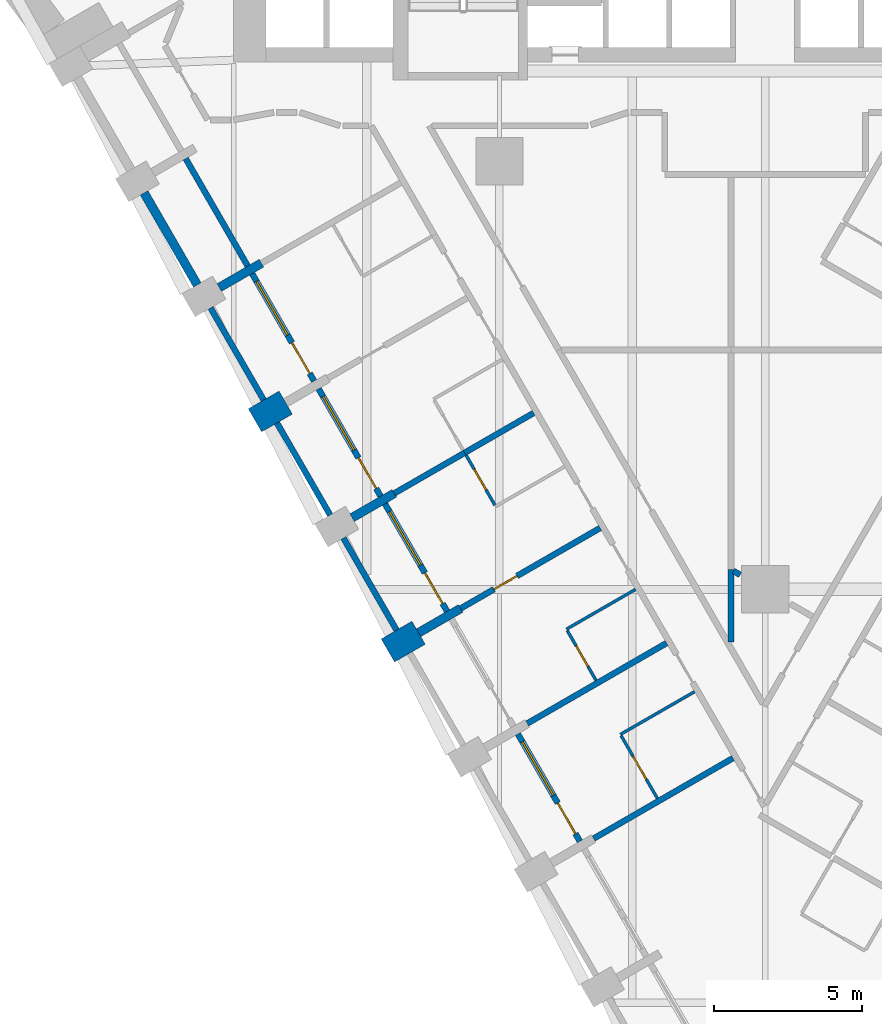
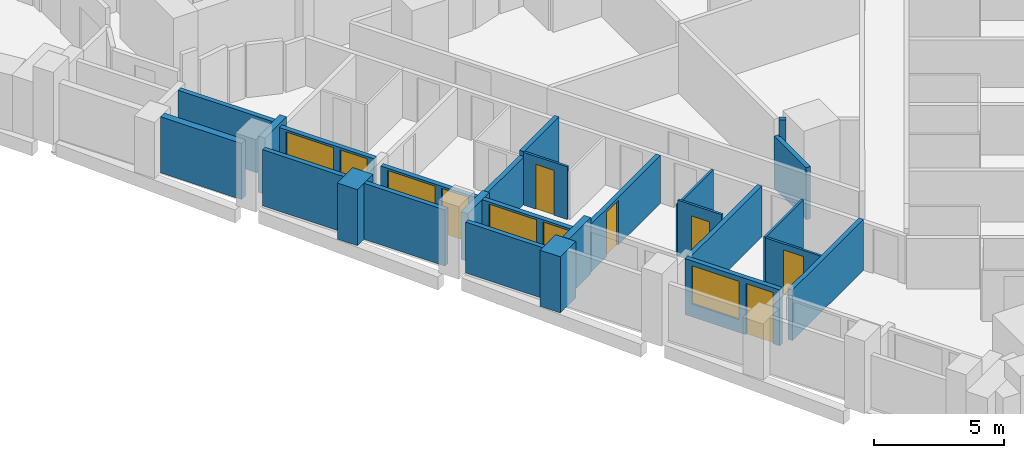
# One storey, part 3 of 12: 26 walls, 8 doors, 4 windows, 12 openings.
"""IFC4 building model written with IfcOpenShell, lengths in metres."""

from ifc_helpers import new_model, si_unit, direction, frame, frame_2d, origin, place, context, subcontext, project, spatial, rectangle, extrude, material, layer, layer_set, type_object, element, fill, save


model = new_model("IFC4")

# Units and contexts
model_context = context("Model", 3, precision=1e-05, world=origin(), true_north=direction((0.0, 1.0)))
body_context = subcontext(model_context, "Body", "Model", "MODEL_VIEW")
ifc_project = project(units=[si_unit("LENGTHUNIT", "METRE"), si_unit("AREAUNIT", "SQUARE_METRE"), si_unit("VOLUMEUNIT", "CUBIC_METRE"), si_unit("PLANEANGLEUNIT", "RADIAN"), si_unit("MASSUNIT", "GRAM", prefix="KILO")], contexts=[model_context])

# Site, building, storey
site_placement = place(None, origin())
site = spatial("IfcSite", under=ifc_project, at=site_placement, CompositionType="ELEMENT")
building_placement = place(site_placement, origin())
building = spatial("IfcBuilding", under=site, at=building_placement, Name="Calabash Gate Tower", CompositionType="ELEMENT")
storey_placement = place(building_placement, frame((0.0, 0.0, 83.39990234375)))
storey = spatial("IfcBuildingStorey", under=building, at=storey_placement, Name="L17", CompositionType="ELEMENT", Elevation=83.39990234375)

# Walls
ifc_material_1 = material(Name="Terracotta brick masonry, exposed face", Category="masonry")
ifc_layer_1 = layer(ifc_material_1, 1.199951171875)
ifc_layer_set_1 = layer_set([ifc_layer_1], Name="Brick end wall 1200")
wall_type_1 = type_object("IfcWallType", Name="Brick end wall 1200", PredefinedType="SOLIDWALL", material=ifc_layer_set_1)
wall_1_placement = place(storey_placement, frame((-17.27880859375, -6.277099609375, 0.0), z_axis=(0.0, 0.0, 1.0), x_axis=(0.866094119867, 0.499880961361, 0.0)))
element("IfcWall", 1, at=wall_1_placement, inside=storey, type_object=wall_type_1, Name="Brick pier S04 SW0.3", PredefinedType="SOLIDWALL", context=body_context, shape_type="SweptSolid", body=[
    extrude(rectangle(XDim=1.199951171875, YDim=0.89990234375, at=frame_2d((0.60009765625, 0.0))), origin(), (0.0, 0.0, 1.0), 2.630126953125),
])
wall_2_placement = place(storey_placement, frame((-12.77880859375, -14.071533203125, 0.0), z_axis=(0.0, 0.0, 1.0), x_axis=(0.866006032174, 0.500033551112, 0.0)))
element("IfcWall", 2, at=wall_2_placement, inside=storey, type_object=wall_type_1, Name="Brick pier S04 SW0.5", PredefinedType="SOLIDWALL", context=body_context, shape_type="SweptSolid", body=[
    extrude(rectangle(XDim=1.2001953125, YDim=0.89990234375, at=frame_2d((0.60009765625, 0.0))), origin(), (0.0, 0.0, 1.0), 2.630126953125),
])
ifc_material_2 = material(Name="Terracotta brick masonry, exposed face", Category="masonry")
ifc_layer_2 = layer(ifc_material_2, 0.300048828125)
ifc_layer_set_2 = layer_set([ifc_layer_2], Name="Brick infill panel wall 300")
wall_type_2 = type_object("IfcWallType", Name="Brick infill panel wall 300", PredefinedType="SOLIDWALL", material=ifc_layer_set_2)
wall_3_placement = place(storey_placement, frame((-21.0341796875, 1.42724609375, 0.0), z_axis=(0.0, 0.0, 1.0), x_axis=(0.500012057535, -0.866018442252, 0.0)))
element("IfcWall", 3, at=wall_3_placement, inside=storey, type_object=wall_type_2, Name="Brick panel S04 SW0.2", PredefinedType="SOLIDWALL", context=body_context, shape_type="SweptSolid", body=[
    extrude(rectangle(XDim=3.60009765625, YDim=0.300048828125, at=frame_2d((1.800048828125, 0.0))), origin(), (0.0, 0.0, 1.0), 2.630126953125),
])
ifc_material_3 = material(Name="Terracotta brick masonry, exposed face", Category="masonry")
ifc_layer_3 = layer(ifc_material_3, 0.300048828125)
ifc_layer_set_3 = layer_set([ifc_layer_3], Name="Brick loggia cheek wall 300")
wall_type_3 = type_object("IfcWallType", Name="Brick loggia cheek wall 300", PredefinedType="SOLIDWALL", material=ifc_layer_set_3)
wall_4_placement = place(storey_placement, frame((-18.489501953125, -1.780029296875, 0.0), z_axis=(0.0, 0.0, 1.0), x_axis=(0.866040211805, 0.499974350878, 0.0)))
element("IfcWall", 4, at=wall_4_placement, inside=storey, type_object=wall_type_3, Name="Loggia cheek S04 SW0.2", PredefinedType="SOLIDWALL", context=body_context, shape_type="SweptSolid", body=[
    extrude(rectangle(XDim=1.64990234375, YDim=0.300048828125, at=frame_2d((0.824951171875, 0.0))), origin(), (0.0, 0.0, 1.0), 2.650146484375),
])
wall_5_placement = place(storey_placement, frame((-12.560546875, -8.749267578125, 0.0), z_axis=(0.0, 0.0, 1.0), x_axis=(-0.866003217194, -0.500038426333, 0.0)))
element("IfcWall", 5, at=wall_5_placement, inside=storey, type_object=wall_type_3, Name="Loggia cheek S04 SW0.4", PredefinedType="SOLIDWALL", context=body_context, shape_type="SweptSolid", body=[
    extrude(rectangle(XDim=1.649658203125, YDim=0.300048828125, at=frame_2d((0.82470703125, 0.0))), origin(), (0.0, 0.0, 1.0), 2.24169921875),
])
wall_6_placement = place(storey_placement, frame((-11.739501953125, -13.471435546875, 0.0), z_axis=(0.0, 0.0, 1.0), x_axis=(0.866040211805, 0.499974350878, 0.0)))
element("IfcWall", 6, at=wall_6_placement, inside=storey, type_object=wall_type_3, Name="Loggia cheek S04 SW0.5", PredefinedType="SOLIDWALL", context=body_context, shape_type="SweptSolid", body=[
    extrude(rectangle(XDim=1.64990234375, YDim=0.300048828125, at=frame_2d((0.824951171875, 0.0))), origin(), (0.0, 0.0, 1.0), 2.650146484375),
])

# Wall, opening, door
ifc_material_4 = material(Name="Gypsum board on steel studs, mineral wool", Category="steel")
ifc_layer_4 = layer(ifc_material_4, 0.10009765625)
ifc_layer_set_4 = layer_set([ifc_layer_4], Name="Partition 100 gypsum board")
wall_type_4 = type_object("IfcWallType", Name="Partition 100 gypsum board", PredefinedType="PARTITIONING", material=ifc_layer_set_4)
wall_7_placement = place(storey_placement, frame((-4.877197265625, -16.957275390625, 0.0), z_axis=(0.0, 0.0, 1.0), x_axis=(0.500018594424, -0.866014668023, 0.0)))
wall_7 = element("IfcWall", 7, at=wall_7_placement, inside=storey, type_object=wall_type_4, Name="Partition", PredefinedType="PARTITIONING", context=body_context, shape_type="SweptSolid", body=[
    extrude(rectangle(XDim=2.4501953125, YDim=0.10009765625, at=frame_2d((1.22509765625, 0.0))), origin(), (0.0, 0.0, 1.0), 2.38427734375),
])
opening_1_placement = place(wall_7_placement, frame((0.800048828125, 0.0, 0.0)))
opening_1 = element("IfcOpeningElement", 8, at=opening_1_placement, cuts=wall_7, Name="Opening 15-17-012", PredefinedType="OPENING", context=body_context, shape_type="SweptSolid", body=[
    extrude(rectangle(XDim=0.89990234375, YDim=2.10009765625, at=frame_2d((0.449951171875, 1.050048828125))), frame((0.0, 0.06005859375, 0.0), z_axis=(0.0, -1.0, 0.0), x_axis=(1.0, 0.0, 0.0)), (0.0, 0.0, 1.0), 0.1201171875),
])
ifc_material_5 = material(Name="Painted timber door", Category="wood")
door_type_1 = type_object("IfcDoorType", Name="GD6 Accessible en-suite door 900x2100", OperationType="NOTDEFINED", PredefinedType="DOOR", material=ifc_material_5)
door_1_placement = place(opening_1_placement, origin())
door_1 = element("IfcDoor", 9, at=door_1_placement, inside=storey, type_object=door_type_1, Name="Accessible en-suite door", OperationType="SINGLE_SWING_LEFT", OverallHeight=2.10009765625, OverallWidth=0.89990234375, PredefinedType="DOOR", context=body_context, shape_type="SweptSolid", body=[
    extrude(rectangle(XDim=0.89990234375, YDim=2.10009765625, at=frame_2d((0.449951171875, 1.050048828125))), frame((0.0, 0.02490234375, 0.0), z_axis=(0.0, -1.0, 0.0), x_axis=(1.0, 0.0, 0.0)), (0.0, 0.0, 1.0), 0.050048828125),
])
fill(opening_1, door_1)

# Wall
wall_8_placement = place(storey_placement, frame((-4.902099609375, -16.9140625, 0.0), z_axis=(0.0, 0.0, 1.0), x_axis=(0.866293497561, 0.499535360193, 0.0)))
element("IfcWall", 10, at=wall_8_placement, inside=storey, type_object=wall_type_4, Name="Partition", PredefinedType="PARTITIONING", context=body_context, shape_type="SweptSolid", body=[
    extrude(rectangle(XDim=2.899658203125, YDim=0.10009765625, at=frame_2d((1.44970703125, 0.0))), origin(), (0.0, 0.0, 1.0), 2.38427734375),
])

# Wall, opening, door
wall_9_placement = place(storey_placement, frame((-6.7041015625, -13.393310546875, 0.0), z_axis=(0.0, 0.0, 1.0), x_axis=(0.500098182527, -0.865968710655, 0.0)))
wall_9 = element("IfcWall", 11, at=wall_9_placement, inside=storey, type_object=wall_type_4, Name="Partition", PredefinedType="PARTITIONING", context=body_context, shape_type="SweptSolid", body=[
    extrude(rectangle(XDim=1.94970703125, YDim=0.10009765625, at=frame_2d((0.974853515625, 0.0))), origin(), (0.0, 0.0, 1.0), 2.628173828125),
])
opening_2_placement = place(wall_9_placement, frame((0.60009765625, 0.0, 0.0)))
opening_2 = element("IfcOpeningElement", 12, at=opening_2_placement, cuts=wall_9, Name="Opening 15-17-009", PredefinedType="OPENING", context=body_context, shape_type="SweptSolid", body=[
    extrude(rectangle(XDim=0.800048828125, YDim=2.10009765625, at=frame_2d((0.39990234375, 1.050048828125))), frame((0.0, 0.06005859375, 0.0), z_axis=(0.0, -1.0, 0.0), x_axis=(1.0, 0.0, 0.0)), (0.0, 0.0, 1.0), 0.1201171875),
])
ifc_material_6 = material(Name="Painted timber door", Category="wood")
door_type_2 = type_object("IfcDoorType", Name="GD5 En-suite door 800x2100", OperationType="NOTDEFINED", PredefinedType="DOOR", material=ifc_material_6)
door_2_placement = place(opening_2_placement, origin())
door_2 = element("IfcDoor", 13, at=door_2_placement, inside=storey, type_object=door_type_2, Name="En-suite door", OperationType="SINGLE_SWING_RIGHT", OverallHeight=2.10009765625, OverallWidth=0.800048828125, PredefinedType="DOOR", context=body_context, shape_type="SweptSolid", body=[
    extrude(rectangle(XDim=0.800048828125, YDim=2.10009765625, at=frame_2d((0.39990234375, 1.050048828125))), frame((0.0, 0.02490234375, 0.0), z_axis=(0.0, -1.0, 0.0), x_axis=(1.0, 0.0, 0.0)), (0.0, 0.0, 1.0), 0.050048828125),
])
fill(opening_2, door_2)

# Wall
wall_10_placement = place(storey_placement, frame((-6.72900390625, -13.349853515625, 0.0), z_axis=(0.0, 0.0, 1.0), x_axis=(0.866339109022, 0.499456252518, 0.0)))
element("IfcWall", 14, at=wall_10_placement, inside=storey, type_object=wall_type_4, Name="Partition", PredefinedType="PARTITIONING", context=body_context, shape_type="SweptSolid", body=[
    extrude(rectangle(XDim=2.69970703125, YDim=0.10009765625, at=frame_2d((1.349853515625, 0.0))), origin(), (0.0, 0.0, 1.0), 2.38427734375),
])

# Wall, opening, door
wall_11_placement = place(storey_placement, frame((-10.12744140625, -7.460205078125, 0.0), z_axis=(0.0, 0.0, 1.0), x_axis=(0.499223742716, -0.866473112514, 0.0)))
wall_11 = element("IfcWall", 15, at=wall_11_placement, inside=storey, type_object=wall_type_4, Name="Partition", PredefinedType="PARTITIONING", context=body_context, shape_type="SweptSolid", body=[
    extrude(rectangle(XDim=1.94970703125, YDim=0.10009765625, at=frame_2d((0.974853515625, 0.0))), origin(), (0.0, 0.0, 1.0), 2.4736328125),
])
opening_3_placement = place(wall_11_placement, frame((0.5498046875, 0.0, 0.0)))
opening_3 = element("IfcOpeningElement", 16, at=opening_3_placement, cuts=wall_11, Name="Opening 15-17-007", PredefinedType="OPENING", context=body_context, shape_type="SweptSolid", body=[
    extrude(rectangle(XDim=0.800048828125, YDim=2.10009765625, at=frame_2d((0.39990234375, 1.050048828125))), frame((0.0, 0.06005859375, 0.0), z_axis=(0.0, -1.0, 0.0), x_axis=(1.0, 0.0, 0.0)), (0.0, 0.0, 1.0), 0.1201171875),
])
door_3_placement = place(opening_3_placement, origin())
door_3 = element("IfcDoor", 17, at=door_3_placement, inside=storey, type_object=door_type_2, Name="En-suite door", OperationType="SINGLE_SWING_LEFT", OverallHeight=2.10009765625, OverallWidth=0.800048828125, PredefinedType="DOOR", context=body_context, shape_type="SweptSolid", body=[
    extrude(rectangle(XDim=0.800048828125, YDim=2.10009765625, at=frame_2d((0.39990234375, 1.050048828125))), frame((0.0, 0.02490234375, 0.0), z_axis=(0.0, -1.0, 0.0), x_axis=(1.0, 0.0, 0.0)), (0.0, 0.0, 1.0), 0.050048828125),
])
fill(opening_3, door_3)

# Walls
ifc_material_7 = material(Name="Gypsum board on steel studs, mineral wool", Category="steel")
ifc_layer_5 = layer(ifc_material_7, 0.199951171875)
ifc_layer_set_5 = layer_set([ifc_layer_5], Name="Partition 200 gypsum board EI 60")
wall_type_5 = type_object("IfcWallType", Name="Partition 200 gypsum board EI 60", PredefinedType="PARTITIONING", material=ifc_layer_set_5)
wall_12_placement = place(storey_placement, frame((-5.810302734375, -20.441162109375, 0.0), z_axis=(0.0, 0.0, 1.0), x_axis=(0.866020710281, 0.500008129298, 0.0)))
element("IfcWall", 18, at=wall_12_placement, inside=storey, type_object=wall_type_5, Name="Partition", PredefinedType="PARTITIONING", context=body_context, shape_type="SweptSolid", body=[
    extrude(rectangle(XDim=5.44970703125, YDim=0.199951171875, at=frame_2d((2.724853515625, 0.0))), origin(), (0.0, 0.0, 1.0), 2.38427734375),
])
wall_13_placement = place(storey_placement, frame((-8.060546875, -16.543701171875, 0.0), z_axis=(0.0, 0.0, 1.0), x_axis=(0.866193043817, 0.499709526468, 0.0)))
element("IfcWall", 19, at=wall_13_placement, inside=storey, type_object=wall_type_5, Name="Partition", PredefinedType="PARTITIONING", context=body_context, shape_type="SweptSolid", body=[
    extrude(rectangle(XDim=5.449951171875, YDim=0.199951171875, at=frame_2d((2.72509765625, 0.0))), origin(), (0.0, 0.0, 1.0), 2.38427734375),
])
wall_14_placement = place(storey_placement, frame((-1.0751953125, -11.377685546875, 0.0), z_axis=(0.0, 0.0, 1.0), x_axis=(0.863710940107, -0.50398751169, 0.0)))
element("IfcWall", 20, at=wall_14_placement, inside=storey, type_object=wall_type_5, Name="Partition", PredefinedType="PARTITIONING", context=body_context, shape_type="SweptSolid", body=[
    extrude(rectangle(XDim=0.260498046875, YDim=0.199951171875, at=frame_2d((0.13037109375, 0.0))), origin(), (0.0, 0.0, 1.0), 3.22998046875),
])
wall_15_placement = place(storey_placement, frame((-1.1630859375, -13.78955078125, 0.0), z_axis=(0.0, 0.0, 1.0), x_axis=(0.000595415197, 0.99999982274, 0.0)))
element("IfcWall", 21, at=wall_15_placement, inside=storey, type_object=wall_type_5, Name="Partition", PredefinedType="PARTITIONING", context=body_context, shape_type="SweptSolid", body=[
    extrude(rectangle(XDim=2.460205078125, YDim=0.199951171875, at=frame_2d((1.22998046875, 0.0))), origin(), (0.0, 0.0, 1.0), 2.4501953125),
])

# Wall, opening, door
wall_16_placement = place(storey_placement, frame((-10.310546875, -12.646484375, 0.0), z_axis=(0.0, 0.0, 1.0), x_axis=(0.866193043817, 0.499709526468, 0.0)))
wall_16 = element("IfcWall", 22, at=wall_16_placement, inside=storey, type_object=wall_type_5, Name="Partition", PredefinedType="PARTITIONING", context=body_context, shape_type="SweptSolid", body=[
    extrude(rectangle(XDim=5.449951171875, YDim=0.199951171875, at=frame_2d((2.72509765625, 0.0))), origin(), (0.0, 0.0, 1.0), 2.24169921875),
])
opening_4_placement = place(wall_16_placement, frame((1.300048828125, 0.0, 0.0)))
opening_4 = element("IfcOpeningElement", 23, at=opening_4_placement, cuts=wall_16, Name="Opening 15-17-010", PredefinedType="OPENING", context=body_context, shape_type="SweptSolid", body=[
    extrude(rectangle(XDim=0.89990234375, YDim=2.10009765625, at=frame_2d((0.449951171875, 1.050048828125))), frame((0.0, 0.10986328125, 0.0), z_axis=(0.0, -1.0, 0.0), x_axis=(1.0, 0.0, 0.0)), (0.0, 0.0, 1.0), 0.219970703125),
])
ifc_material_8 = material(Name="Steel fire door set with fire-resisting glazing", Category="steel")
door_type_3 = type_object("IfcDoorType", Name="GD4 Connecting door 900x2100", OperationType="NOTDEFINED", PredefinedType="DOOR", material=ifc_material_8)
door_4_placement = place(opening_4_placement, origin())
door_4 = element("IfcDoor", 24, at=door_4_placement, inside=storey, type_object=door_type_3, Name="Connecting door", OperationType="SINGLE_SWING_RIGHT", OverallHeight=2.10009765625, OverallWidth=0.89990234375, PredefinedType="DOOR", context=body_context, shape_type="SweptSolid", body=[
    extrude(rectangle(XDim=0.89990234375, YDim=2.10009765625, at=frame_2d((0.449951171875, 1.050048828125))), frame((0.0, 0.02490234375, 0.0), z_axis=(0.0, -1.0, 0.0), x_axis=(1.0, 0.0, 0.0)), (0.0, 0.0, 1.0), 0.050048828125),
])
fill(opening_4, door_4)

# Walls
wall_17_placement = place(storey_placement, frame((-12.560546875, -8.74951171875, 0.0), z_axis=(0.0, 0.0, 1.0), x_axis=(0.866362904174, 0.499414976018, 0.0)))
element("IfcWall", 25, at=wall_17_placement, inside=storey, type_object=wall_type_5, Name="Partition", PredefinedType="PARTITIONING", context=body_context, shape_type="SweptSolid", body=[
    extrude(rectangle(XDim=2.749755859375, YDim=0.199951171875, at=frame_2d((1.375, 0.0))), origin(), (0.0, 0.0, 1.0), 2.24169921875),
])
wall_18_placement = place(storey_placement, frame((-10.177978515625, -7.3759765625, 0.0), z_axis=(0.0, 0.0, 1.0), x_axis=(0.866036505625, 0.499980770555, 0.0)))
element("IfcWall", 26, at=wall_18_placement, inside=storey, type_object=wall_type_5, Name="Partition", PredefinedType="PARTITIONING", context=body_context, shape_type="SweptSolid", body=[
    extrude(rectangle(XDim=2.69970703125, YDim=0.199951171875, at=frame_2d((1.349853515625, 0.0))), origin(), (0.0, 0.0, 1.0), 2.4736328125),
])
ifc_material_9 = material(Name="Terracotta brick masonry, perforated", Category="masonry")
ifc_layer_6 = layer(ifc_material_9, 0.199951171875)
ifc_layer_set_6 = layer_set([ifc_layer_6], Name="Terracotta jaali screen B")
wall_type_6 = type_object("IfcWallType", Name="Terracotta jaali screen B", PredefinedType="SOLIDWALL", material=ifc_layer_set_6)
for number, where, z_axis, x_axis, name in (
    (27, (-18.7841796875, -2.4697265625, 0.0), (0.0, 0.0, 1.0), (0.500012057535, -0.866018442252, 0.0), "SCREEN B S04 SW0.3"),
    (28, (-16.5341796875, -6.366943359375, 0.0), (0.0, 0.0, 1.0), (0.500012057535, -0.866018442252, 0.0), "SCREEN B S04 SW0.4"),
):
    element("IfcWall", number, at=place(storey_placement, frame(where, z_axis=z_axis, x_axis=x_axis)), inside=storey, type_object=wall_type_6, Name=name, PredefinedType="SOLIDWALL", context=body_context, shape_type="SweptSolid", body=[
        extrude(rectangle(XDim=3.60009765625, YDim=0.199951171875, at=frame_2d((1.800048828125, 0.0))), origin(), (0.0, 0.0, 1.0), 2.630126953125),
    ])
wall_19_placement = place(storey_placement, frame((-14.2841796875, -10.263916015625, 0.0), z_axis=(0.0, 0.0, 1.0), x_axis=(0.499982693035, -0.866035395735, 0.0)))
element("IfcWall", 29, at=wall_19_placement, inside=storey, type_object=wall_type_6, Name="SCREEN B S04 SW0.5", PredefinedType="SOLIDWALL", context=body_context, shape_type="SweptSolid", body=[
    extrude(rectangle(XDim=3.600341796875, YDim=0.199951171875, at=frame_2d((1.80029296875, 0.0))), origin(), (0.0, 0.0, 1.0), 2.38427734375),
])
ifc_material_10 = material(Name="Aluminium framed window wall with insulated spandrel", Category="aluminium")
ifc_layer_7 = layer(ifc_material_10, 0.199951171875)
ifc_layer_set_7 = layer_set([ifc_layer_7], Name="Window wall 200")
wall_type_7 = type_object("IfcWallType", Name="Window wall 200", PredefinedType="ELEMENTEDWALL", material=ifc_layer_set_7)
wall_20_placement = place(storey_placement, frame((-19.625244140625, 2.587158203125, 0.0), z_axis=(0.0, 0.0, 1.0), x_axis=(0.499958946799, -0.866049104564, 0.0)))
element("IfcWall", 30, at=wall_20_placement, inside=storey, type_object=wall_type_7, Name="Window wall S04 SW0.2", PredefinedType="ELEMENTEDWALL", context=body_context, shape_type="SweptSolid", body=[
    extrude(rectangle(XDim=4.199951171875, YDim=0.199951171875, at=frame_2d((2.10009765625, 0.0))), origin(), (0.0, 0.0, 1.0), 2.650146484375),
])

# Wall, openings, door, window
wall_21_placement = place(storey_placement, frame((-17.375244140625, -1.31005859375, 0.0), z_axis=(0.0, 0.0, 1.0), x_axis=(0.49998411664, -0.866034573852, 0.0)))
wall_21 = element("IfcWall", 31, at=wall_21_placement, inside=storey, type_object=wall_type_7, Name="Window wall S04 SW0.3", PredefinedType="ELEMENTEDWALL", context=body_context, shape_type="SweptSolid", body=[
    extrude(rectangle(XDim=4.199951171875, YDim=0.199951171875, at=frame_2d((2.10009765625, 0.0))), origin(), (0.0, 0.0, 1.0), 2.4736328125),
])
opening_5_placement = place(wall_21_placement, frame((0.300048828125, 0.0, 0.60009765625)))
opening_5 = element("IfcOpeningElement", 32, at=opening_5_placement, cuts=wall_21, Name="Opening HW1L-1770", PredefinedType="OPENING", context=body_context, shape_type="SweptSolid", body=[
    extrude(rectangle(XDim=2.10009765625, YDim=1.77001953125, at=frame_2d((1.050048828125, 0.885009765625))), frame((0.0, 0.10986328125, 0.0), z_axis=(0.0, -1.0, 0.0), x_axis=(1.0, 0.0, 0.0)), (0.0, 0.0, 1.0), 0.219970703125),
])
opening_6_placement = place(wall_21_placement, frame((2.699951171875, 0.0, 0.0)))
opening_6 = element("IfcOpeningElement", 33, at=opening_6_placement, cuts=wall_21, Name="Opening H4-026", PredefinedType="OPENING", context=body_context, shape_type="SweptSolid", body=[
    extrude(rectangle(XDim=1.199951171875, YDim=2.3701171875, at=frame_2d((0.60009765625, 1.18505859375))), frame((0.0, 0.10986328125, 0.0), z_axis=(0.0, -1.0, 0.0), x_axis=(1.0, 0.0, 0.0)), (0.0, 0.0, 1.0), 0.219970703125),
])
ifc_material_11 = material(Name="Anodised aluminium frame, bronze finish, impact-rated laminated clear glazing", Category="aluminium")
door_type_4 = type_object("IfcDoorType", Name="Loggia door DH1L-2370 1200x2370", OperationType="SLIDING_TO_LEFT", PredefinedType="DOOR", material=ifc_material_11)
door_5_placement = place(opening_6_placement, origin())
door_5 = element("IfcDoor", 34, at=door_5_placement, inside=storey, type_object=door_type_4, Name="Loggia door S04 SW0.3", OperationType="SINGLE_SWING_LEFT", OverallHeight=2.3701171875, OverallWidth=1.199951171875, PredefinedType="DOOR", context=body_context, shape_type="SweptSolid", body=[
    extrude(rectangle(XDim=1.199951171875, YDim=2.3701171875, at=frame_2d((0.60009765625, 1.18505859375))), frame((0.0, 0.02490234375, 0.0), z_axis=(0.0, -1.0, 0.0), x_axis=(1.0, 0.0, 0.0)), (0.0, 0.0, 1.0), 0.050048828125),
])
fill(opening_6, door_5)
ifc_material_12 = material(Name="Anodised aluminium frame, bronze finish, impact-rated laminated clear glazing", Category="aluminium")
window_type_1 = type_object("IfcWindowType", Name="Window HW1L 2100x1770", PartitioningType="DOUBLE_PANEL_VERTICAL", PredefinedType="WINDOW", material=ifc_material_12)
window_1_placement = place(opening_5_placement, origin())
window_1 = element("IfcWindow", 35, at=window_1_placement, inside=storey, type_object=window_type_1, Name="Window HW1 S04 SW0.3", OverallHeight=1.77001953125, OverallWidth=2.10009765625, PartitioningType="SINGLE_PANEL", PredefinedType="WINDOW", context=body_context, shape_type="SweptSolid", body=[
    extrude(rectangle(XDim=2.10009765625, YDim=1.77001953125, at=frame_2d((1.050048828125, 0.885009765625))), frame((0.0, 0.030029296875, 0.0), z_axis=(0.0, -1.0, 0.0), x_axis=(1.0, 0.0, 0.0)), (0.0, 0.0, 1.0), 0.06005859375),
])
fill(opening_5, window_1)

wall_22_placement = place(storey_placement, frame((-15.125244140625, -5.20703125, 0.0), z_axis=(0.0, 0.0, 1.0), x_axis=(0.499958946799, -0.866049104564, 0.0)))
wall_22 = element("IfcWall", 36, at=wall_22_placement, inside=storey, type_object=wall_type_7, Name="Window wall S04 SW0.4", PredefinedType="ELEMENTEDWALL", context=body_context, shape_type="SweptSolid", body=[
    extrude(rectangle(XDim=4.199951171875, YDim=0.199951171875, at=frame_2d((2.10009765625, 0.0))), origin(), (0.0, 0.0, 1.0), 2.24169921875),
])
opening_7_placement = place(wall_22_placement, frame((0.300048828125, 0.0, 0.60009765625)))
opening_7 = element("IfcOpeningElement", 37, at=opening_7_placement, cuts=wall_22, Name="Opening HW1L-1540", PredefinedType="OPENING", context=body_context, shape_type="SweptSolid", body=[
    extrude(rectangle(XDim=2.10009765625, YDim=1.5400390625, at=frame_2d((1.050048828125, 0.77001953125))), frame((0.0, 0.10986328125, 0.0), z_axis=(0.0, -1.0, 0.0), x_axis=(1.0, 0.0, 0.0)), (0.0, 0.0, 1.0), 0.219970703125),
])
opening_8_placement = place(wall_22_placement, frame((2.699951171875, 0.0, 0.0)))
opening_8 = element("IfcOpeningElement", 38, at=opening_8_placement, cuts=wall_22, Name="Opening H4-027", PredefinedType="OPENING", context=body_context, shape_type="SweptSolid", body=[
    extrude(rectangle(XDim=1.199951171875, YDim=2.139892578125, at=frame_2d((0.60009765625, 1.06982421875))), frame((0.0, 0.10986328125, 0.0), z_axis=(0.0, -1.0, 0.0), x_axis=(1.0, 0.0, 0.0)), (0.0, 0.0, 1.0), 0.219970703125),
])
ifc_material_13 = material(Name="Anodised aluminium frame, bronze finish, impact-rated laminated clear glazing", Category="aluminium")
door_type_5 = type_object("IfcDoorType", Name="Loggia door DH1L-2140 1200x2140", OperationType="SLIDING_TO_LEFT", PredefinedType="DOOR", material=ifc_material_13)
door_6_placement = place(opening_8_placement, origin())
door_6 = element("IfcDoor", 39, at=door_6_placement, inside=storey, type_object=door_type_5, Name="Loggia door S04 SW0.4", OperationType="SINGLE_SWING_LEFT", OverallHeight=2.139892578125, OverallWidth=1.199951171875, PredefinedType="DOOR", context=body_context, shape_type="SweptSolid", body=[
    extrude(rectangle(XDim=1.199951171875, YDim=2.139892578125, at=frame_2d((0.60009765625, 1.06982421875))), frame((0.0, 0.02490234375, 0.0), z_axis=(0.0, -1.0, 0.0), x_axis=(1.0, 0.0, 0.0)), (0.0, 0.0, 1.0), 0.050048828125),
])
fill(opening_8, door_6)
ifc_material_14 = material(Name="Anodised aluminium frame, bronze finish, impact-rated laminated clear glazing", Category="aluminium")
window_type_2 = type_object("IfcWindowType", Name="Window HW1L 2100x1540", PartitioningType="DOUBLE_PANEL_VERTICAL", PredefinedType="WINDOW", material=ifc_material_14)
window_2_placement = place(opening_7_placement, origin())
window_2 = element("IfcWindow", 40, at=window_2_placement, inside=storey, type_object=window_type_2, Name="Window HW1 S04 SW0.4", OverallHeight=1.5400390625, OverallWidth=2.10009765625, PartitioningType="SINGLE_PANEL", PredefinedType="WINDOW", context=body_context, shape_type="SweptSolid", body=[
    extrude(rectangle(XDim=2.10009765625, YDim=1.5400390625, at=frame_2d((1.050048828125, 0.77001953125))), frame((0.0, 0.030029296875, 0.0), z_axis=(0.0, -1.0, 0.0), x_axis=(1.0, 0.0, 0.0)), (0.0, 0.0, 1.0), 0.06005859375),
])
fill(opening_7, window_2)

wall_23_placement = place(storey_placement, frame((-12.875244140625, -9.104248046875, 0.0), z_axis=(0.0, 0.0, 1.0), x_axis=(0.49998411664, -0.866034573852, 0.0)))
wall_23 = element("IfcWall", 41, at=wall_23_placement, inside=storey, type_object=wall_type_7, Name="Window wall S04 SW0.5", PredefinedType="ELEMENTEDWALL", context=body_context, shape_type="SweptSolid", body=[
    extrude(rectangle(XDim=4.199951171875, YDim=0.199951171875, at=frame_2d((2.10009765625, 0.0))), origin(), (0.0, 0.0, 1.0), 2.24169921875),
])
opening_9_placement = place(wall_23_placement, frame((0.300048828125, 0.0, 0.60009765625)))
opening_9 = element("IfcOpeningElement", 42, at=opening_9_placement, cuts=wall_23, Name="Opening HW1L-1540", PredefinedType="OPENING", context=body_context, shape_type="SweptSolid", body=[
    extrude(rectangle(XDim=2.10009765625, YDim=1.5400390625, at=frame_2d((1.050048828125, 0.77001953125))), frame((0.0, 0.10986328125, 0.0), z_axis=(0.0, -1.0, 0.0), x_axis=(1.0, 0.0, 0.0)), (0.0, 0.0, 1.0), 0.219970703125),
])
opening_10_placement = place(wall_23_placement, frame((2.699951171875, 0.0, 0.0)))
opening_10 = element("IfcOpeningElement", 43, at=opening_10_placement, cuts=wall_23, Name="Opening H4-028", PredefinedType="OPENING", context=body_context, shape_type="SweptSolid", body=[
    extrude(rectangle(XDim=1.199951171875, YDim=2.139892578125, at=frame_2d((0.60009765625, 1.06982421875))), frame((0.0, 0.10986328125, 0.0), z_axis=(0.0, -1.0, 0.0), x_axis=(1.0, 0.0, 0.0)), (0.0, 0.0, 1.0), 0.219970703125),
])
door_7_placement = place(opening_10_placement, origin())
door_7 = element("IfcDoor", 44, at=door_7_placement, inside=storey, type_object=door_type_5, Name="Loggia door S04 SW0.5", OperationType="SINGLE_SWING_LEFT", OverallHeight=2.139892578125, OverallWidth=1.199951171875, PredefinedType="DOOR", context=body_context, shape_type="SweptSolid", body=[
    extrude(rectangle(XDim=1.199951171875, YDim=2.139892578125, at=frame_2d((0.60009765625, 1.06982421875))), frame((0.0, 0.02490234375, 0.0), z_axis=(0.0, -1.0, 0.0), x_axis=(1.0, 0.0, 0.0)), (0.0, 0.0, 1.0), 0.050048828125),
])
fill(opening_10, door_7)
window_3_placement = place(opening_9_placement, origin())
window_3 = element("IfcWindow", 45, at=window_3_placement, inside=storey, type_object=window_type_2, Name="Window HW1 S04 SW0.5", OverallHeight=1.5400390625, OverallWidth=2.10009765625, PartitioningType="SINGLE_PANEL", PredefinedType="WINDOW", context=body_context, shape_type="SweptSolid", body=[
    extrude(rectangle(XDim=2.10009765625, YDim=1.5400390625, at=frame_2d((1.050048828125, 0.77001953125))), frame((0.0, 0.030029296875, 0.0), z_axis=(0.0, -1.0, 0.0), x_axis=(1.0, 0.0, 0.0)), (0.0, 0.0, 1.0), 0.06005859375),
])
fill(opening_9, window_3)

wall_24_placement = place(storey_placement, frame((-8.375244140625, -16.8984375, 0.0), z_axis=(0.0, 0.0, 1.0), x_axis=(0.49998411664, -0.866034573852, 0.0)))
wall_24 = element("IfcWall", 46, at=wall_24_placement, inside=storey, type_object=wall_type_7, Name="Window wall S04 SW0.7", PredefinedType="ELEMENTEDWALL", context=body_context, shape_type="SweptSolid", body=[
    extrude(rectangle(XDim=4.199951171875, YDim=0.199951171875, at=frame_2d((2.10009765625, 0.0))), origin(), (0.0, 0.0, 1.0), 2.628173828125),
])
opening_11_placement = place(wall_24_placement, frame((0.300048828125, 0.0, 0.60009765625)))
opening_11 = element("IfcOpeningElement", 47, at=opening_11_placement, cuts=wall_24, Name="Opening HW1", PredefinedType="OPENING", context=body_context, shape_type="SweptSolid", body=[
    extrude(rectangle(XDim=2.10009765625, YDim=1.800048828125, at=frame_2d((1.050048828125, 0.89990234375))), frame((0.0, 0.10986328125, 0.0), z_axis=(0.0, -1.0, 0.0), x_axis=(1.0, 0.0, 0.0)), (0.0, 0.0, 1.0), 0.219970703125),
])
opening_12_placement = place(wall_24_placement, frame((2.699951171875, 0.0, 0.0)))
opening_12 = element("IfcOpeningElement", 48, at=opening_12_placement, cuts=wall_24, Name="Opening H4-030", PredefinedType="OPENING", context=body_context, shape_type="SweptSolid", body=[
    extrude(rectangle(XDim=1.199951171875, YDim=2.39990234375, at=frame_2d((0.60009765625, 1.199951171875))), frame((0.0, 0.10986328125, 0.0), z_axis=(0.0, -1.0, 0.0), x_axis=(1.0, 0.0, 0.0)), (0.0, 0.0, 1.0), 0.219970703125),
])
ifc_material_15 = material(Name="Anodised aluminium frame, bronze finish, impact-rated laminated clear glazing", Category="aluminium")
door_type_6 = type_object("IfcDoorType", Name="Loggia door DH1 1200x2400", OperationType="SLIDING_TO_LEFT", PredefinedType="DOOR", material=ifc_material_15)
door_8_placement = place(opening_12_placement, origin())
door_8 = element("IfcDoor", 49, at=door_8_placement, inside=storey, type_object=door_type_6, Name="Loggia door S04 SW0.7", OperationType="SINGLE_SWING_LEFT", OverallHeight=2.39990234375, OverallWidth=1.199951171875, PredefinedType="DOOR", context=body_context, shape_type="SweptSolid", body=[
    extrude(rectangle(XDim=1.199951171875, YDim=2.39990234375, at=frame_2d((0.60009765625, 1.199951171875))), frame((0.0, 0.02490234375, 0.0), z_axis=(0.0, -1.0, 0.0), x_axis=(1.0, 0.0, 0.0)), (0.0, 0.0, 1.0), 0.050048828125),
])
fill(opening_12, door_8)
ifc_material_16 = material(Name="Anodised aluminium frame, bronze finish, impact-rated laminated clear glazing", Category="aluminium")
window_type_3 = type_object("IfcWindowType", Name="Window HW1 2100x1800", PartitioningType="DOUBLE_PANEL_VERTICAL", PredefinedType="WINDOW", material=ifc_material_16)
window_4_placement = place(opening_11_placement, origin())
window_4 = element("IfcWindow", 50, at=window_4_placement, inside=storey, type_object=window_type_3, Name="Window HW1 S04 SW0.7", OverallHeight=1.800048828125, OverallWidth=2.10009765625, PartitioningType="SINGLE_PANEL", PredefinedType="WINDOW", context=body_context, shape_type="SweptSolid", body=[
    extrude(rectangle(XDim=2.10009765625, YDim=1.800048828125, at=frame_2d((1.050048828125, 0.89990234375))), frame((0.0, 0.030029296875, 0.0), z_axis=(0.0, -1.0, 0.0), x_axis=(1.0, 0.0, 0.0)), (0.0, 0.0, 1.0), 0.06005859375),
])
fill(opening_11, window_4)

save(model, "model.ifc")
